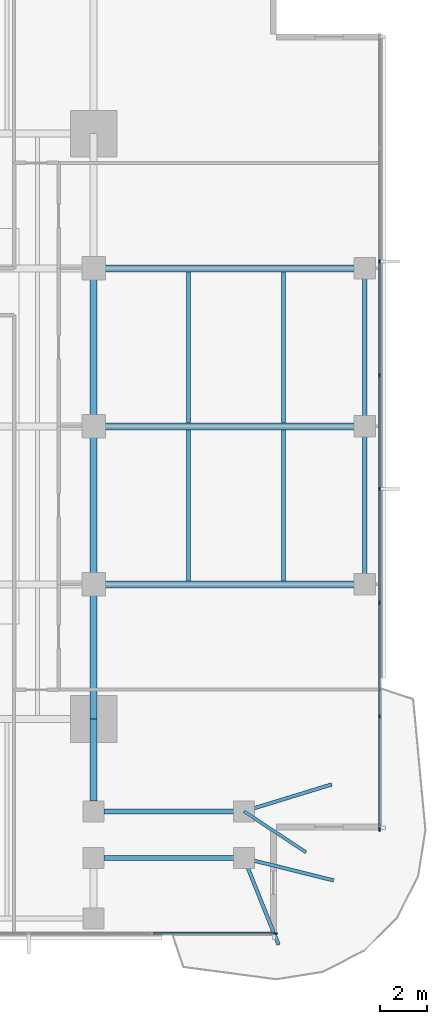
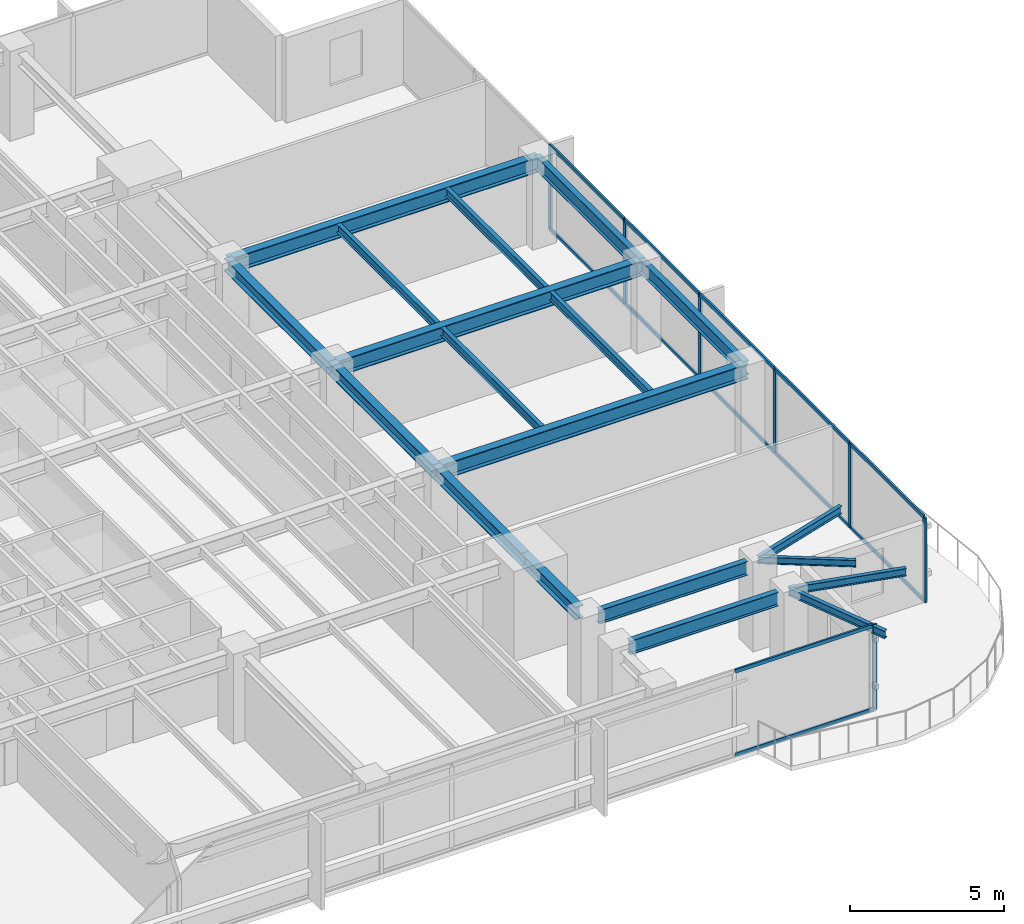
# One storey, part 4 of 14: 19 beams, 19 members, 2 elements without a shape of their own.
"""IFC4 building model written with IfcOpenShell, lengths in metres."""

from ifc_helpers import new_model, si_unit, direction, frame, origin, origin_2d, place, context, subcontext, project, spatial, rectangle, i_section, extrude, material, layer, layer_set, material_profile, profile_set, type_object, element, aggregate, save


model = new_model("IFC4")

# Units and contexts
model_context = context("Model", 3, precision=1e-05, world=origin(), true_north=direction((0.0, 1.0)))
body_context = subcontext(model_context, "Body", "Model", "MODEL_VIEW")
ifc_project = project(units=[si_unit("LENGTHUNIT", "METRE"), si_unit("AREAUNIT", "SQUARE_METRE"), si_unit("VOLUMEUNIT", "CUBIC_METRE"), si_unit("PLANEANGLEUNIT", "RADIAN"), si_unit("MASSUNIT", "GRAM", prefix="KILO")], contexts=[model_context])

# Site, building, storey
site_placement = place(None, origin())
site = spatial("IfcSite", under=ifc_project, at=site_placement, CompositionType="ELEMENT")
building_placement = place(site_placement, origin())
building = spatial("IfcBuilding", under=site, at=building_placement, Name="Kinhvarn Gate Tower", CompositionType="ELEMENT")
storey_placement = place(building_placement, frame((0.0, 0.0, 148.39990234375)))
storey = spatial("IfcBuildingStorey", under=building, at=storey_placement, Name="L39", CompositionType="ELEMENT", Elevation=148.39990234375)

# Curtain wall, member
ifc_material_1 = material(Name="Anodised aluminium AW-6063", Category="aluminium")
ifc_layer = layer(ifc_material_1, 0.179931640625)
ifc_layer_set = layer_set([ifc_layer], Name="Anodised aluminium AW-6063")
curtain_wall_type = type_object("IfcCurtainWallType", Name="CW-SYS-3", PredefinedType="NOTDEFINED", material=ifc_layer_set)
curtain_wall_1_placement = place(storey_placement, origin())
curtain_wall_1 = element("IfcCurtainWall", 1, at=curtain_wall_1_placement, inside=storey, type_object=curtain_wall_type, Name="Curtain Wall CW3 (L39)", PredefinedType="NOTDEFINED")
ifc_material_profile_1 = material_profile(ifc_material_1, rectangle(XDim=0.06494140625, YDim=0.159912109375, at=origin_2d()), Name="ALU 65x160")
ifc_profile_set_1 = profile_set([ifc_material_profile_1], Name="Anodised aluminium AW-6063")
member_type_1 = type_object("IfcMemberType", Name="CW-MUL-160", PredefinedType="MULLION", material=ifc_profile_set_1)
member_1_placement = place(storey_placement, frame((45.967529296875, 3.590087890625, 0.0), z_axis=(0.0, 0.0, 1.0), x_axis=(0.0, 1.0, 0.0)))
member_1 = element("IfcMember", 2, at=member_1_placement, type_object=member_type_1, Name="CW3 mullion 8", PredefinedType="MULLION", context=body_context, shape_type="SweptSolid", body=[
    extrude(rectangle(XDim=0.06494140625, YDim=0.159912109375, at=origin_2d()), origin(), (0.0, 0.0, 1.0), 3.3701171875),
])

# Curtain wall, members
curtain_wall_2_placement = place(storey_placement, origin())
curtain_wall_2 = element("IfcCurtainWall", 3, at=curtain_wall_2_placement, inside=storey, type_object=curtain_wall_type, Name="Curtain Wall CW3 (L39)", PredefinedType="NOTDEFINED")
member_2_placement = place(storey_placement, frame((50.409912109375, 8.032470703125, 0.0), z_axis=(0.0, 0.0, 1.0), x_axis=(-1.0, 0.0, 0.0)))
member_2 = element("IfcMember", 4, at=member_2_placement, type_object=member_type_1, Name="CW3 mullion 1", PredefinedType="MULLION", context=body_context, shape_type="SweptSolid", body=[
    extrude(rectangle(XDim=0.06494140625, YDim=0.159912109375, at=origin_2d()), origin(), (0.0, 0.0, 1.0), 3.3701171875),
])
member_3_placement = place(storey_placement, frame((50.409912109375, 12.857177734375, 0.0), z_axis=(0.0, 0.0, 1.0), x_axis=(-1.0, 0.0, 0.0)))
member_3 = element("IfcMember", 5, at=member_3_placement, type_object=member_type_1, Name="CW3 mullion 2", PredefinedType="MULLION", context=body_context, shape_type="SweptSolid", body=[
    extrude(rectangle(XDim=0.06494140625, YDim=0.159912109375, at=origin_2d()), origin(), (0.0, 0.0, 1.0), 3.3701171875),
])
member_4_placement = place(storey_placement, frame((50.409912109375, 17.71435546875, 0.0), z_axis=(0.0, 0.0, 1.0), x_axis=(-1.0, 0.0, 0.0)))
member_4 = element("IfcMember", 6, at=member_4_placement, type_object=member_type_1, Name="CW3 mullion 3", PredefinedType="MULLION", context=body_context, shape_type="SweptSolid", body=[
    extrude(rectangle(XDim=0.06494140625, YDim=0.159912109375, at=origin_2d()), origin(), (0.0, 0.0, 1.0), 3.3701171875),
])
member_5_placement = place(storey_placement, frame((50.409912109375, 22.571533203125, 0.0), z_axis=(0.0, 0.0, 1.0), x_axis=(-1.0, 0.0, 0.0)))
member_5 = element("IfcMember", 7, at=member_5_placement, type_object=member_type_1, Name="CW3 mullion 4", PredefinedType="MULLION", context=body_context, shape_type="SweptSolid", body=[
    extrude(rectangle(XDim=0.06494140625, YDim=0.159912109375, at=origin_2d()), origin(), (0.0, 0.0, 1.0), 3.3701171875),
])
member_6_placement = place(storey_placement, frame((50.409912109375, 27.428466796875, 0.0), z_axis=(0.0, 0.0, 1.0), x_axis=(-1.0, 0.0, 0.0)))
member_6 = element("IfcMember", 8, at=member_6_placement, type_object=member_type_1, Name="CW3 mullion 5", PredefinedType="MULLION", context=body_context, shape_type="SweptSolid", body=[
    extrude(rectangle(XDim=0.06494140625, YDim=0.159912109375, at=origin_2d()), origin(), (0.0, 0.0, 1.0), 3.3701171875),
])
member_7_placement = place(storey_placement, frame((50.409912109375, 32.28564453125, 0.0), z_axis=(0.0, 0.0, 1.0), x_axis=(-1.0, 0.0, 0.0)))
member_7 = element("IfcMember", 9, at=member_7_placement, type_object=member_type_1, Name="CW3 mullion 6", PredefinedType="MULLION", context=body_context, shape_type="SweptSolid", body=[
    extrude(rectangle(XDim=0.06494140625, YDim=0.159912109375, at=origin_2d()), origin(), (0.0, 0.0, 1.0), 3.3701171875),
])

# Member
ifc_material_profile_2 = material_profile(ifc_material_1, rectangle(XDim=0.070068359375, YDim=0.139892578125, at=origin_2d()), Name="ALU 70x140")
ifc_profile_set_2 = profile_set([ifc_material_profile_2], Name="Anodised aluminium AW-6063")
member_type_2 = type_object("IfcMemberType", Name="CW-TRN-140", PredefinedType="USERDEFINED", material=ifc_profile_set_2)
member_8_placement = place(storey_placement, frame((40.746826171875, 3.590087890625, 0.03515625), z_axis=(1.0, 0.0, 0.0), x_axis=(0.0, 1.0, 0.0)))
member_8 = element("IfcMember", 10, at=member_8_placement, type_object=member_type_2, Name="CW3 transom 7.1", ObjectType="TRANSOM", PredefinedType="USERDEFINED", context=body_context, shape_type="SweptSolid", body=[
    extrude(rectangle(XDim=0.070068359375, YDim=0.139892578125, at=origin_2d()), origin(), (0.0, 0.0, 1.0), 5.188232421875),
])

member_9_placement = place(storey_placement, frame((40.746826171875, 3.590087890625, 3.335205078125), z_axis=(1.0, 0.0, 0.0), x_axis=(0.0, 1.0, 0.0)))
member_9 = element("IfcMember", 11, at=member_9_placement, type_object=member_type_2, Name="CW3 transom 7.2", ObjectType="TRANSOM", PredefinedType="USERDEFINED", context=body_context, shape_type="SweptSolid", body=[
    extrude(rectangle(XDim=0.070068359375, YDim=0.139892578125, at=origin_2d()), origin(), (0.0, 0.0, 1.0), 5.188232421875),
])

aggregate(curtain_wall_1, [member_1, member_8, member_9])

member_10_placement = place(storey_placement, frame((50.409912109375, 8.06494140625, 0.03515625), z_axis=(0.0, 1.0, 0.0), x_axis=(-1.0, 0.0, 0.0)))
member_10 = element("IfcMember", 12, at=member_10_placement, type_object=member_type_2, Name="CW3 transom 1.1", ObjectType="TRANSOM", PredefinedType="USERDEFINED", context=body_context, shape_type="SweptSolid", body=[
    extrude(rectangle(XDim=0.070068359375, YDim=0.139892578125, at=origin_2d()), origin(), (0.0, 0.0, 1.0), 4.759765625),
])

member_11_placement = place(storey_placement, frame((50.409912109375, 8.06494140625, 3.335205078125), z_axis=(0.0, 1.0, 0.0), x_axis=(-1.0, 0.0, 0.0)))
member_11 = element("IfcMember", 13, at=member_11_placement, type_object=member_type_2, Name="CW3 transom 1.2", ObjectType="TRANSOM", PredefinedType="USERDEFINED", context=body_context, shape_type="SweptSolid", body=[
    extrude(rectangle(XDim=0.070068359375, YDim=0.139892578125, at=origin_2d()), origin(), (0.0, 0.0, 1.0), 4.759765625),
])

member_12_placement = place(storey_placement, frame((50.409912109375, 12.8896484375, 0.03515625), z_axis=(0.0, 1.0, 0.0), x_axis=(-1.0, 0.0, 0.0)))
member_12 = element("IfcMember", 14, at=member_12_placement, type_object=member_type_2, Name="CW3 transom 2.1", ObjectType="TRANSOM", PredefinedType="USERDEFINED", context=body_context, shape_type="SweptSolid", body=[
    extrude(rectangle(XDim=0.070068359375, YDim=0.139892578125, at=origin_2d()), origin(), (0.0, 0.0, 1.0), 4.792236328125),
])

member_13_placement = place(storey_placement, frame((50.409912109375, 12.8896484375, 3.335205078125), z_axis=(0.0, 1.0, 0.0), x_axis=(-1.0, 0.0, 0.0)))
member_13 = element("IfcMember", 15, at=member_13_placement, type_object=member_type_2, Name="CW3 transom 2.2", ObjectType="TRANSOM", PredefinedType="USERDEFINED", context=body_context, shape_type="SweptSolid", body=[
    extrude(rectangle(XDim=0.070068359375, YDim=0.139892578125, at=origin_2d()), origin(), (0.0, 0.0, 1.0), 4.792236328125),
])

member_14_placement = place(storey_placement, frame((50.409912109375, 17.746826171875, 0.03515625), z_axis=(0.0, 1.0, 0.0), x_axis=(-1.0, 0.0, 0.0)))
member_14 = element("IfcMember", 16, at=member_14_placement, type_object=member_type_2, Name="CW3 transom 3.1", ObjectType="TRANSOM", PredefinedType="USERDEFINED", context=body_context, shape_type="SweptSolid", body=[
    extrude(rectangle(XDim=0.070068359375, YDim=0.139892578125, at=origin_2d()), origin(), (0.0, 0.0, 1.0), 4.7919921875),
])

member_15_placement = place(storey_placement, frame((50.409912109375, 17.746826171875, 3.335205078125), z_axis=(0.0, 1.0, 0.0), x_axis=(-1.0, 0.0, 0.0)))
member_15 = element("IfcMember", 17, at=member_15_placement, type_object=member_type_2, Name="CW3 transom 3.2", ObjectType="TRANSOM", PredefinedType="USERDEFINED", context=body_context, shape_type="SweptSolid", body=[
    extrude(rectangle(XDim=0.070068359375, YDim=0.139892578125, at=origin_2d()), origin(), (0.0, 0.0, 1.0), 4.7919921875),
])

member_16_placement = place(storey_placement, frame((50.409912109375, 22.60400390625, 0.03515625), z_axis=(0.0, 1.0, 0.0), x_axis=(-1.0, 0.0, 0.0)))
member_16 = element("IfcMember", 18, at=member_16_placement, type_object=member_type_2, Name="CW3 transom 4.1", ObjectType="TRANSOM", PredefinedType="USERDEFINED", context=body_context, shape_type="SweptSolid", body=[
    extrude(rectangle(XDim=0.070068359375, YDim=0.139892578125, at=origin_2d()), origin(), (0.0, 0.0, 1.0), 4.7919921875),
])

member_17_placement = place(storey_placement, frame((50.409912109375, 22.60400390625, 3.335205078125), z_axis=(0.0, 1.0, 0.0), x_axis=(-1.0, 0.0, 0.0)))
member_17 = element("IfcMember", 19, at=member_17_placement, type_object=member_type_2, Name="CW3 transom 4.2", ObjectType="TRANSOM", PredefinedType="USERDEFINED", context=body_context, shape_type="SweptSolid", body=[
    extrude(rectangle(XDim=0.070068359375, YDim=0.139892578125, at=origin_2d()), origin(), (0.0, 0.0, 1.0), 4.7919921875),
])

member_18_placement = place(storey_placement, frame((50.409912109375, 27.461181640625, 0.03515625), z_axis=(0.0, 1.0, 0.0), x_axis=(-1.0, 0.0, 0.0)))
member_18 = element("IfcMember", 20, at=member_18_placement, type_object=member_type_2, Name="CW3 transom 5.1", ObjectType="TRANSOM", PredefinedType="USERDEFINED", context=body_context, shape_type="SweptSolid", body=[
    extrude(rectangle(XDim=0.070068359375, YDim=0.139892578125, at=origin_2d()), origin(), (0.0, 0.0, 1.0), 4.7919921875),
])

member_19_placement = place(storey_placement, frame((50.409912109375, 27.461181640625, 3.335205078125), z_axis=(0.0, 1.0, 0.0), x_axis=(-1.0, 0.0, 0.0)))
member_19 = element("IfcMember", 21, at=member_19_placement, type_object=member_type_2, Name="CW3 transom 5.2", ObjectType="TRANSOM", PredefinedType="USERDEFINED", context=body_context, shape_type="SweptSolid", body=[
    extrude(rectangle(XDim=0.070068359375, YDim=0.139892578125, at=origin_2d()), origin(), (0.0, 0.0, 1.0), 4.7919921875),
])

aggregate(curtain_wall_2, [member_2, member_3, member_4, member_5, member_6, member_7, member_10, member_11, member_12, member_13, member_14, member_15, member_16, member_17, member_18, member_19])

# Beams
ifc_material_2 = material(Name="Steel S355", Category="steel")
ifc_material_profile_3 = material_profile(ifc_material_2, i_section(OverallWidth=0.300048828125, OverallDepth=0.5, WebThickness=0.014404296875, FlangeThickness=0.028076171875, at=origin_2d()), Name="HEB 500")
ifc_profile_set_3 = profile_set([ifc_material_profile_3], Name="Steel S355")
beam_type_1 = type_object("IfcBeamType", Name="STL-HEB500", PredefinedType="BEAM", material=ifc_profile_set_3)
beam_1_placement = place(storey_placement, frame((38.199951171875, 9.235107421875, 3.1201171875), z_axis=(0.0, 1.0, 0.0), x_axis=(-1.0, 0.0, 0.0)))
element("IfcBeam", 22, at=beam_1_placement, inside=storey, type_object=beam_type_1, Name="Floor Beam PG-14 (L39 MCE-S-A2)", PredefinedType="BEAM", context=body_context, shape_type="SweptSolid", body=[
    extrude(i_section(OverallWidth=0.300048828125, OverallDepth=0.5, WebThickness=0.014404296875, FlangeThickness=0.028076171875, at=origin_2d()), origin(), (0.0, 0.0, 1.0), 3.514892578125),
])
beam_2_placement = place(storey_placement, frame((38.199951171875, 12.75, 3.1201171875), z_axis=(0.0, 1.0, 0.0), x_axis=(-1.0, 0.0, 0.0)))
element("IfcBeam", 23, at=beam_2_placement, inside=storey, type_object=beam_type_1, Name="Floor Beam PG-14 (L39 MG-E-12)", PredefinedType="BEAM", context=body_context, shape_type="SweptSolid", body=[
    extrude(i_section(OverallWidth=0.300048828125, OverallDepth=0.5, WebThickness=0.014404296875, FlangeThickness=0.028076171875, at=origin_2d()), origin(), (0.0, 0.0, 1.0), 5.75),
])
for number, where, z_axis, x_axis, name in (
    (24, (38.199951171875, 18.5, 3.1201171875), (0.0, 1.0, 0.0), (-1.0, 0.0, 0.0), "Floor Beam PG-14 (L39 MG-E-18)"),
    (25, (38.199951171875, 25.25, 3.1201171875), (0.0, 1.0, 0.0), (-1.0, 0.0, 0.0), "Floor Beam PG-14 (L39 MG-E-25)"),
):
    element("IfcBeam", number, at=place(storey_placement, frame(where, z_axis=z_axis, x_axis=x_axis)), inside=storey, type_object=beam_type_1, Name=name, PredefinedType="BEAM", context=body_context, shape_type="SweptSolid", body=[
        extrude(i_section(OverallWidth=0.300048828125, OverallDepth=0.5, WebThickness=0.014404296875, FlangeThickness=0.028076171875, at=origin_2d()), origin(), (0.0, 0.0, 1.0), 6.75),
    ])
ifc_material_profile_4 = material_profile(ifc_material_2, i_section(OverallWidth=0.300048828125, OverallDepth=0.60009765625, WebThickness=0.015380859375, FlangeThickness=0.030029296875, at=origin_2d()), Name="HEB 600")
ifc_profile_set_4 = profile_set([ifc_material_profile_4], Name="Steel S355")
beam_type_2 = type_object("IfcBeamType", Name="STL-HEB600", PredefinedType="BEAM", material=ifc_profile_set_4)
for number, where, z_axis, x_axis, name in (
    (26, (38.199951171875, 18.5, 3.070068359375), (1.0, 0.0, 0.0), (0.0, 1.0, 0.0), "Floor Beam PG-16 (L39 EW2-Y18)"),
    (27, (38.199951171875, 25.25, 3.070068359375), (1.0, 0.0, 0.0), (0.0, 1.0, 0.0), "Floor Beam PG-16 (L39 EW2-Y25)"),
    (28, (38.199951171875, 32.0, 3.070068359375), (1.0, 0.0, 0.0), (0.0, 1.0, 0.0), "Floor Beam PG-16 (L39 EW2-Y32)"),
):
    element("IfcBeam", number, at=place(storey_placement, frame(where, z_axis=z_axis, x_axis=x_axis)), inside=storey, type_object=beam_type_2, Name=name, PredefinedType="BEAM", context=body_context, shape_type="SweptSolid", body=[
        extrude(i_section(OverallWidth=0.300048828125, OverallDepth=0.60009765625, WebThickness=0.015380859375, FlangeThickness=0.030029296875, at=origin_2d()), origin(), (0.0, 0.0, 1.0), 11.580078125),
    ])
ifc_material_profile_5 = material_profile(ifc_material_2, i_section(OverallWidth=0.135009765625, OverallDepth=0.27001953125, WebThickness=0.006591796875, FlangeThickness=0.01025390625, at=origin_2d()), Name="IPE 270")
ifc_profile_set_5 = profile_set([ifc_material_profile_5], Name="Steel S355")
beam_type_3 = type_object("IfcBeamType", Name="STL-IPE270", PredefinedType="JOIST", material=ifc_profile_set_5)
beam_3_placement = place(storey_placement, frame((44.6201171875, 8.800048828125, 3.235107421875), z_axis=(0.834455271211, -0.5510756757, 0.0), x_axis=(0.5510756757, 0.834455271211, 0.0)))
element("IfcBeam", 29, at=beam_3_placement, inside=storey, type_object=beam_type_3, Name="Floor Joist SB-01 (L39 BAL-B3-L40)", PredefinedType="JOIST", context=body_context, shape_type="SweptSolid", body=[
    extrude(i_section(OverallWidth=0.135009765625, OverallDepth=0.27001953125, WebThickness=0.006591796875, FlangeThickness=0.01025390625, at=origin_2d()), origin(), (0.0, 0.0, 1.0), 3.175537109375),
])
ifc_material_profile_6 = material_profile(ifc_material_2, i_section(OverallWidth=0.14990234375, OverallDepth=0.300048828125, WebThickness=0.007080078125, FlangeThickness=0.0107421875, at=origin_2d()), Name="IPE 300")
ifc_profile_set_6 = profile_set([ifc_material_profile_6], Name="Steel S355")
beam_type_4 = type_object("IfcBeamType", Name="STL-IPE300", PredefinedType="JOIST", material=ifc_profile_set_6)
beam_4_placement = place(storey_placement, frame((44.6201171875, 6.800048828125, 3.22021484375), z_axis=(0.97058851083, -0.240744558911, 0.0), x_axis=(0.240744558911, 0.97058851083, 0.0)))
element("IfcBeam", 30, at=beam_4_placement, inside=storey, type_object=beam_type_4, Name="Floor Joist SB-02 (L39 BAL-B1-L40)", PredefinedType="JOIST", context=body_context, shape_type="SweptSolid", body=[
    extrude(i_section(OverallWidth=0.14990234375, OverallDepth=0.300048828125, WebThickness=0.007080078125, FlangeThickness=0.0107421875, at=origin_2d()), origin(), (0.0, 0.0, 1.0), 3.94580078125),
])
beam_5_placement = place(storey_placement, frame((44.6201171875, 6.800048828125, 3.22021484375), z_axis=(0.371390676354, -0.928476690885, 0.0), x_axis=(0.928476690885, 0.371390676354, 0.0)))
element("IfcBeam", 31, at=beam_5_placement, inside=storey, type_object=beam_type_4, Name="Floor Joist SB-02 (L39 BAL-B2-L40)", PredefinedType="JOIST", context=body_context, shape_type="SweptSolid", body=[
    extrude(i_section(OverallWidth=0.14990234375, OverallDepth=0.300048828125, WebThickness=0.007080078125, FlangeThickness=0.0107421875, at=origin_2d()), origin(), (0.0, 0.0, 1.0), 3.98486328125),
])
beam_6_placement = place(storey_placement, frame((44.6201171875, 8.800048828125, 3.22021484375), z_axis=(0.95606118681, 0.293167199862, 0.0), x_axis=(-0.293167199862, 0.95606118681, 0.0)))
element("IfcBeam", 32, at=beam_6_placement, inside=storey, type_object=beam_type_4, Name="Floor Joist SB-02 (L39 BAL-B5-L40)", PredefinedType="JOIST", context=body_context, shape_type="SweptSolid", body=[
    extrude(i_section(OverallWidth=0.14990234375, OverallDepth=0.300048828125, WebThickness=0.007080078125, FlangeThickness=0.0107421875, at=origin_2d()), origin(), (0.0, 0.0, 1.0), 3.92236328125),
])
ifc_material_profile_7 = material_profile(ifc_material_2, i_section(OverallWidth=0.159912109375, OverallDepth=0.330078125, WebThickness=0.007568359375, FlangeThickness=0.011474609375, at=origin_2d()), Name="IPE 330")
ifc_profile_set_7 = profile_set([ifc_material_profile_7], Name="Steel S355")
beam_type_5 = type_object("IfcBeamType", Name="STL-IPE330", PredefinedType="JOIST", material=ifc_profile_set_7)
for number, where, z_axis, x_axis, name in (
    (33, (42.25, 18.64990234375, 3.205078125), (0.0, 1.0, 0.0), (-1.0, 0.0, 0.0), "Floor Joist SB-03 (L39 JC-X422-1)"),
    (34, (42.25, 25.39990234375, 3.205078125), (0.0, 1.0, 0.0), (-1.0, 0.0, 0.0), "Floor Joist SB-03 (L39 JC-X422-2)"),
    (35, (46.31005859375, 18.64990234375, 3.205078125), (0.0, 1.0, 0.0), (-1.0, 0.0, 0.0), "Floor Joist SB-03 (L39 JC-X463-1)"),
    (36, (46.31005859375, 25.39990234375, 3.205078125), (0.0, 1.0, 0.0), (-1.0, 0.0, 0.0), "Floor Joist SB-03 (L39 JC-X463-2)"),
):
    element("IfcBeam", number, at=place(storey_placement, frame(where, z_axis=z_axis, x_axis=x_axis)), inside=storey, type_object=beam_type_5, Name=name, PredefinedType="JOIST", context=body_context, shape_type="SweptSolid", body=[
        extrude(i_section(OverallWidth=0.159912109375, OverallDepth=0.330078125, WebThickness=0.007568359375, FlangeThickness=0.011474609375, at=origin_2d()), origin(), (0.0, 0.0, 1.0), 6.4501953125),
    ])
ifc_material_profile_8 = material_profile(ifc_material_2, i_section(OverallWidth=0.2099609375, OverallDepth=0.550048828125, WebThickness=0.010986328125, FlangeThickness=0.01708984375, at=origin_2d()), Name="IPE 550")
ifc_profile_set_8 = profile_set([ifc_material_profile_8], Name="Steel S355")
beam_type_6 = type_object("IfcBeamType", Name="STL-IPE550", PredefinedType="SPANDREL", material=ifc_profile_set_8)
for number, where, z_axis, x_axis, name in (
    (37, (38.635009765625, 8.800048828125, 3.09521484375), (1.0, 0.0, 0.0), (0.0, 1.0, 0.0), "Floor Spandrel SB-08 (L39 SP-SE2)"),
    (38, (38.635009765625, 6.800048828125, 3.09521484375), (1.0, 0.0, 0.0), (0.0, 1.0, 0.0), "Floor Spandrel SB-08 (L39 SP-SE2-S)"),
):
    element("IfcBeam", number, at=place(storey_placement, frame(where, z_axis=z_axis, x_axis=x_axis)), inside=storey, type_object=beam_type_6, Name=name, PredefinedType="SPANDREL", context=body_context, shape_type="SweptSolid", body=[
        extrude(i_section(OverallWidth=0.2099609375, OverallDepth=0.550048828125, WebThickness=0.010986328125, FlangeThickness=0.01708984375, at=origin_2d()), origin(), (0.0, 0.0, 1.0), 5.550048828125),
    ])
for number, where, z_axis, x_axis, name in (
    (39, (49.780029296875, 18.5, 3.09521484375), (0.0, 1.0, 0.0), (-1.0, 0.0, 0.0), "Floor Spandrel SB-08 (L39 SP-E2)"),
    (40, (49.780029296875, 25.25, 3.09521484375), (0.0, 1.0, 0.0), (-1.0, 0.0, 0.0), "Floor Spandrel SB-08 (L39 SP-E3)"),
):
    element("IfcBeam", number, at=place(storey_placement, frame(where, z_axis=z_axis, x_axis=x_axis)), inside=storey, type_object=beam_type_6, Name=name, PredefinedType="SPANDREL", context=body_context, shape_type="SweptSolid", body=[
        extrude(i_section(OverallWidth=0.2099609375, OverallDepth=0.550048828125, WebThickness=0.010986328125, FlangeThickness=0.01708984375, at=origin_2d()), origin(), (0.0, 0.0, 1.0), 6.75),
    ])

save(model, "model.ifc")
